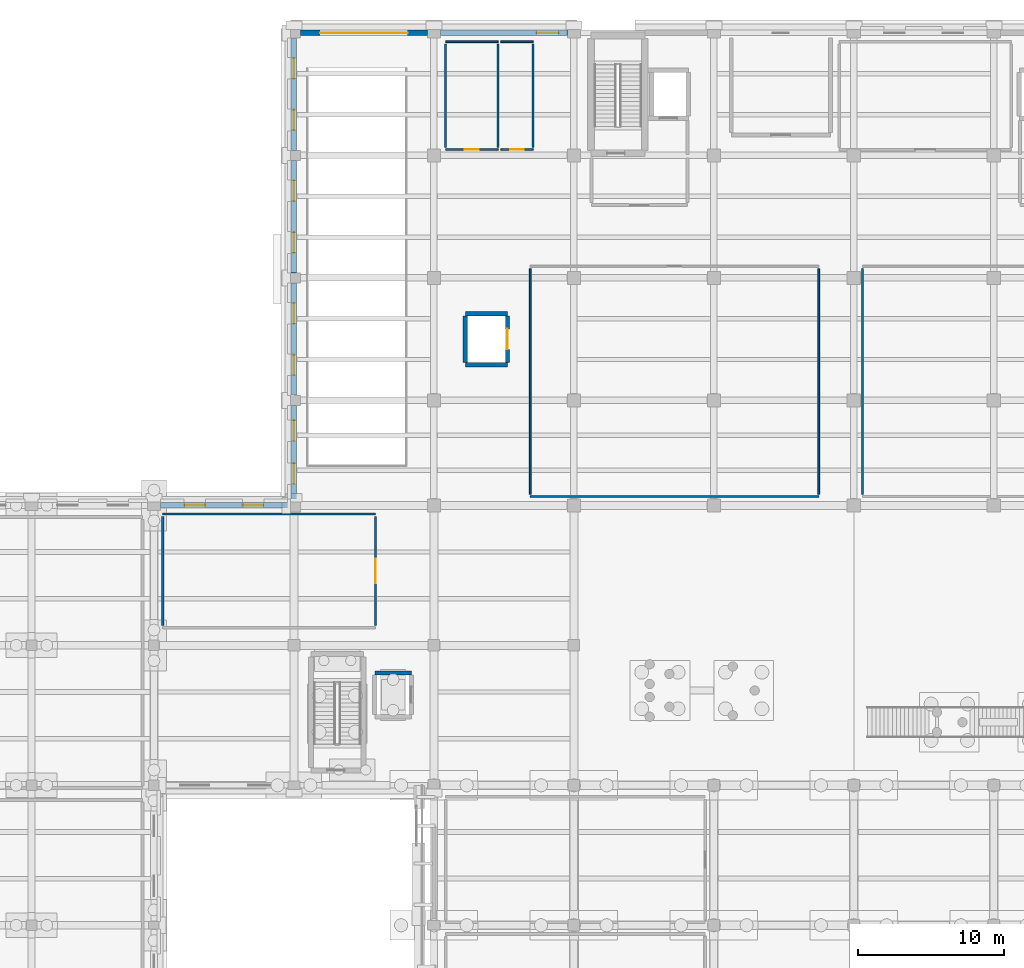
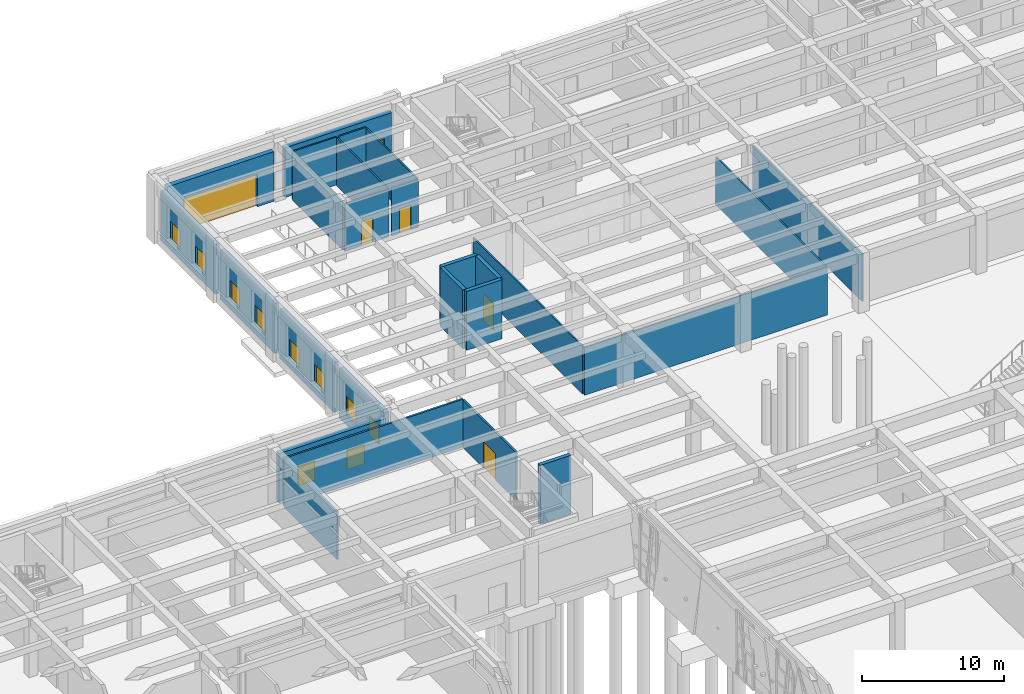
# One storey, part 33 of 51: 26 walls, 10 windows, 6 doors, 16 openings.
"""IFC4 building model written with IfcOpenShell, lengths in metres."""

from ifc_helpers import new_model, si_unit, direction, frame, frame_2d, origin, place, context, subcontext, project, spatial, rectangle, extrude, material, layer, layer_set, type_object, element, fill, save


model = new_model("IFC4")

# Units and contexts
model_context = context("Model", 3, precision=1e-05, world=origin(), true_north=direction((0.0, 1.0)))
body_context = subcontext(model_context, "Body", "Model", "MODEL_VIEW")
ifc_project = project(units=[si_unit("LENGTHUNIT", "METRE"), si_unit("AREAUNIT", "SQUARE_METRE"), si_unit("VOLUMEUNIT", "CUBIC_METRE"), si_unit("PLANEANGLEUNIT", "RADIAN"), si_unit("MASSUNIT", "GRAM", prefix="KILO")], contexts=[model_context])

# Site, building, storey
site_placement = place(None, origin())
site = spatial("IfcSite", under=ifc_project, at=site_placement, CompositionType="ELEMENT")
building_placement = place(site_placement, origin())
building = spatial("IfcBuilding", under=site, at=building_placement, Name="Bempovik Park Faculty of Sciences", CompositionType="ELEMENT")
storey_placement = place(building_placement, origin())
storey = spatial("IfcBuildingStorey", under=building, at=storey_placement, Name="L00", CompositionType="ELEMENT", Elevation=0.0)

# Walls
ifc_material_1 = material(Name="Gypsum acoustic stud assembly")
ifc_layer_1 = layer(ifc_material_1, 0.1201171875)
ifc_layer_set_1 = layer_set([ifc_layer_1], Name="Gypsum acoustic stud assembly")
wall_type_1 = type_object("IfcWallType", Name="W-17 Wall 120mm", PredefinedType="PARTITIONING", material=ifc_layer_set_1)
wall_1_placement = place(storey_placement, frame((66.60009765625, 87.60009765625, 0.0), z_axis=(0.0, 0.0, 1.0), x_axis=(1.0, 0.0, 0.0)))
element("IfcWall", 1, at=wall_1_placement, inside=storey, type_object=wall_type_1, Name="L00 Faculty Admissions and Student Services Office Partition South", PredefinedType="PARTITIONING", context=body_context, shape_type="SweptSolid", body=[
    extrude(rectangle(XDim=19.7998046875, YDim=0.1201171875, at=frame_2d((9.89990234375, 0.0))), origin(), (0.0, 0.0, 1.0), 4.1201171875),
])
for number, where, z_axis, x_axis, name in (
    (2, (66.60009765625, 87.760009765625, 0.0), (0.0, 0.0, 1.0), (0.0, 1.0, 0.0), "L00 Faculty Admissions and Student Services Office Partition West"),
    (3, (86.39990234375, 87.760009765625, 0.0), (0.0, 0.0, 1.0), (0.0, 1.0, 0.0), "L00 Faculty Admissions and Student Services Office Partition East"),
    (4, (89.39990234375, 87.760009765625, 0.0), (0.0, 0.0, 1.0), (0.0, 1.0, 0.0), "L00 Academic Faculty Administration Suite Partition West"),
):
    element("IfcWall", number, at=place(storey_placement, frame(where, z_axis=z_axis, x_axis=x_axis)), inside=storey, type_object=wall_type_1, Name=name, PredefinedType="PARTITIONING", context=body_context, shape_type="SweptSolid", body=[
        extrude(rectangle(XDim=15.47998046875, YDim=0.1201171875, at=frame_2d((7.739990234375, 0.0))), origin(), (0.0, 0.0, 1.0), 4.1201171875),
    ])

# Wall, opening, door
wall_2_placement = place(storey_placement, frame((60.800048828125, 111.39990234375, 0.0), z_axis=(0.0, 0.0, 1.0), x_axis=(1.0, 0.0, 0.0)))
wall_2 = element("IfcWall", 5, at=wall_2_placement, inside=storey, type_object=wall_type_1, Name="L00 Ground Male WC Partition South", PredefinedType="PARTITIONING", context=body_context, shape_type="SweptSolid", body=[
    extrude(rectangle(XDim=3.599853515625, YDim=0.1201171875, at=frame_2d((1.7998046875, 0.0))), origin(), (0.0, 0.0, 1.0), 4.1201171875),
])
opening_1_placement = place(wall_2_placement, frame((1.324951171875, 0.0, 0.0)))
opening_1 = element("IfcOpeningElement", 6, at=opening_1_placement, cuts=wall_2, Name="Opening D-56", PredefinedType="OPENING", context=body_context, shape_type="SweptSolid", body=[
    extrude(rectangle(XDim=0.949951171875, YDim=2.10009765625, at=frame_2d((0.47509765625, 1.050048828125))), frame((0.0, 0.070068359375, 0.0), z_axis=(0.0, -1.0, 0.0), x_axis=(1.0, 0.0, 0.0)), (0.0, 0.0, 1.0), 0.14013671875),
])
ifc_material_2 = material(Name="West African hardwood finish", Category="wood")
door_type_1 = type_object("IfcDoorType", Name="D-56 Door 950x2100", OperationType="NOTDEFINED", PredefinedType="DOOR", material=ifc_material_2)
door_1_placement = place(opening_1_placement, origin())
door_1 = element("IfcDoor", 7, at=door_1_placement, inside=storey, type_object=door_type_1, Name="L00 Ground Male WC Door", OperationType="SINGLE_SWING_RIGHT", OverallHeight=2.10009765625, OverallWidth=0.949951171875, PredefinedType="DOOR", context=body_context, shape_type="SweptSolid", body=[
    extrude(rectangle(XDim=0.949951171875, YDim=2.10009765625, at=frame_2d((0.47509765625, 1.050048828125))), frame((0.0, 0.02490234375, 0.0), z_axis=(0.0, -1.0, 0.0), x_axis=(1.0, 0.0, 0.0)), (0.0, 0.0, 1.0), 0.050048828125),
])
fill(opening_1, door_1)

# Walls
wall_3_placement = place(storey_placement, frame((60.800048828125, 118.800048828125, 0.0), z_axis=(0.0, 0.0, 1.0), x_axis=(1.0, 0.0, 0.0)))
element("IfcWall", 8, at=wall_3_placement, inside=storey, type_object=wall_type_1, Name="L00 Ground Male WC Partition North", PredefinedType="PARTITIONING", context=body_context, shape_type="SweptSolid", body=[
    extrude(rectangle(XDim=3.599853515625, YDim=0.1201171875, at=frame_2d((1.7998046875, 0.0))), origin(), (0.0, 0.0, 1.0), 4.1201171875),
])
for number, where, z_axis, x_axis, name in (
    (9, (60.800048828125, 111.56005859375, 0.0), (0.0, 0.0, 1.0), (0.0, 1.0, 0.0), "L00 Ground Male WC Partition West"),
    (10, (64.39990234375, 111.56005859375, 0.0), (0.0, 0.0, 1.0), (0.0, 1.0, 0.0), "L00 Ground Male WC Partition East"),
):
    element("IfcWall", number, at=place(storey_placement, frame(where, z_axis=z_axis, x_axis=x_axis)), inside=storey, type_object=wall_type_1, Name=name, PredefinedType="PARTITIONING", context=body_context, shape_type="SweptSolid", body=[
        extrude(rectangle(XDim=7.079833984375, YDim=0.1201171875, at=frame_2d((3.5400390625, 0.0))), origin(), (0.0, 0.0, 1.0), 4.1201171875),
    ])

# Wall, opening, door
wall_4_placement = place(storey_placement, frame((64.60009765625, 111.39990234375, 0.0), z_axis=(0.0, 0.0, 1.0), x_axis=(1.0, 0.0, 0.0)))
wall_4 = element("IfcWall", 11, at=wall_4_placement, inside=storey, type_object=wall_type_1, Name="L00 Ground Female WC Partition South", PredefinedType="PARTITIONING", context=body_context, shape_type="SweptSolid", body=[
    extrude(rectangle(XDim=2.199951171875, YDim=0.1201171875, at=frame_2d((1.10009765625, 0.0))), origin(), (0.0, 0.0, 1.0), 4.1201171875),
])
opening_2_placement = place(wall_4_placement, frame((0.625, 0.0, 0.0)))
opening_2 = element("IfcOpeningElement", 12, at=opening_2_placement, cuts=wall_4, Name="Opening D-56", PredefinedType="OPENING", context=body_context, shape_type="SweptSolid", body=[
    extrude(rectangle(XDim=0.949951171875, YDim=2.10009765625, at=frame_2d((0.47509765625, 1.050048828125))), frame((0.0, 0.070068359375, 0.0), z_axis=(0.0, -1.0, 0.0), x_axis=(1.0, 0.0, 0.0)), (0.0, 0.0, 1.0), 0.14013671875),
])
door_2_placement = place(opening_2_placement, origin())
door_2 = element("IfcDoor", 13, at=door_2_placement, inside=storey, type_object=door_type_1, Name="L00 Ground Female WC Door", OperationType="SINGLE_SWING_LEFT", OverallHeight=2.10009765625, OverallWidth=0.949951171875, PredefinedType="DOOR", context=body_context, shape_type="SweptSolid", body=[
    extrude(rectangle(XDim=0.949951171875, YDim=2.10009765625, at=frame_2d((0.47509765625, 1.050048828125))), frame((0.0, 0.02490234375, 0.0), z_axis=(0.0, -1.0, 0.0), x_axis=(1.0, 0.0, 0.0)), (0.0, 0.0, 1.0), 0.050048828125),
])
fill(opening_2, door_2)

# Walls
wall_5_placement = place(storey_placement, frame((64.60009765625, 118.800048828125, 0.0), z_axis=(0.0, 0.0, 1.0), x_axis=(1.0, 0.0, 0.0)))
element("IfcWall", 14, at=wall_5_placement, inside=storey, type_object=wall_type_1, Name="L00 Ground Female WC Partition North", PredefinedType="PARTITIONING", context=body_context, shape_type="SweptSolid", body=[
    extrude(rectangle(XDim=2.199951171875, YDim=0.1201171875, at=frame_2d((1.10009765625, 0.0))), origin(), (0.0, 0.0, 1.0), 4.1201171875),
])
wall_6_placement = place(storey_placement, frame((66.800048828125, 111.56005859375, 0.0), z_axis=(0.0, 0.0, 1.0), x_axis=(0.0, 1.0, 0.0)))
element("IfcWall", 15, at=wall_6_placement, inside=storey, type_object=wall_type_1, Name="L00 Ground Female WC Partition East", PredefinedType="PARTITIONING", context=body_context, shape_type="SweptSolid", body=[
    extrude(rectangle(XDim=7.079833984375, YDim=0.1201171875, at=frame_2d((3.5400390625, 0.0))), origin(), (0.0, 0.0, 1.0), 4.1201171875),
])

# Wall, openings, windows
ifc_material_3 = material(Name="Precast concrete C40/50", Category="concrete")
ifc_layer_2 = layer(ifc_material_3, 0.3798828125)
ifc_layer_set_2 = layer_set([ifc_layer_2], Name="Precast concrete C40/50")
wall_type_2 = type_object("IfcWallType", Name="W-27 Wall 380mm", PredefinedType="SOLIDWALL", material=ifc_layer_set_2)
wall_7_placement = place(storey_placement, frame((41.251953125, 87.0, 0.0), z_axis=(0.0, 0.0, 1.0), x_axis=(1.0, 0.0, 0.0)))
wall_7 = element("IfcWall", 16, at=wall_7_placement, inside=storey, type_object=wall_type_2, Name="L00 Classical Precast Facade Wall EW-L00-5794", PredefinedType="SOLIDWALL", context=body_context, shape_type="SweptSolid", body=[
    extrude(rectangle(XDim=8.696044921875, YDim=0.3798828125, at=frame_2d((4.34814453125, 0.0))), origin(), (0.0, 0.0, 1.0), 4.280029296875),
])
opening_3_placement = place(wall_7_placement, frame((1.64794921875, 0.0, 0.85009765625)))
opening_3 = element("IfcOpeningElement", 17, at=opening_3_placement, cuts=wall_7, Name="Opening WN-84", PredefinedType="OPENING", context=body_context, shape_type="SweptSolid", body=[
    extrude(rectangle(XDim=1.39990234375, YDim=1.64990234375, at=frame_2d((0.699951171875, 0.824951171875))), frame((0.0, 0.199951171875, 0.0), z_axis=(0.0, -1.0, 0.0), x_axis=(1.0, 0.0, 0.0)), (0.0, 0.0, 1.0), 0.39990234375),
])
opening_4_placement = place(wall_7_placement, frame((5.648193359375, 0.0, 0.85009765625)))
opening_4 = element("IfcOpeningElement", 18, at=opening_4_placement, cuts=wall_7, Name="Opening WN-84", PredefinedType="OPENING", context=body_context, shape_type="SweptSolid", body=[
    extrude(rectangle(XDim=1.39990234375, YDim=1.64990234375, at=frame_2d((0.699951171875, 0.824951171875))), frame((0.0, 0.199951171875, 0.0), z_axis=(0.0, -1.0, 0.0), x_axis=(1.0, 0.0, 0.0)), (0.0, 0.0, 1.0), 0.39990234375),
])
ifc_material_4 = material(Name="Tempered laminated low-E glass", Category="glass")
window_type = type_object("IfcWindowType", Name="WN-84 Window 1400x1650", PartitioningType="SINGLE_PANEL", PredefinedType="WINDOW", material=ifc_material_4)
window_1_placement = place(opening_3_placement, origin())
window_1 = element("IfcWindow", 19, at=window_1_placement, inside=storey, type_object=window_type, Name="L00 Window EW-L00-5794-1", OverallHeight=1.64990234375, OverallWidth=1.39990234375, PartitioningType="SINGLE_PANEL", PredefinedType="WINDOW", context=body_context, shape_type="SweptSolid", body=[
    extrude(rectangle(XDim=1.39990234375, YDim=1.64990234375, at=frame_2d((0.699951171875, 0.824951171875))), frame((0.0, 0.030029296875, 0.0), z_axis=(0.0, -1.0, 0.0), x_axis=(1.0, 0.0, 0.0)), (0.0, 0.0, 1.0), 0.06005859375),
])
fill(opening_3, window_1)
window_2_placement = place(opening_4_placement, origin())
window_2 = element("IfcWindow", 20, at=window_2_placement, inside=storey, type_object=window_type, Name="L00 Window EW-L00-5794-2", OverallHeight=1.64990234375, OverallWidth=1.39990234375, PartitioningType="SINGLE_PANEL", PredefinedType="WINDOW", context=body_context, shape_type="SweptSolid", body=[
    extrude(rectangle(XDim=1.39990234375, YDim=1.64990234375, at=frame_2d((0.699951171875, 0.824951171875))), frame((0.0, 0.030029296875, 0.0), z_axis=(0.0, -1.0, 0.0), x_axis=(1.0, 0.0, 0.0)), (0.0, 0.0, 1.0), 0.06005859375),
])
fill(opening_4, window_2)

wall_8_placement = place(storey_placement, frame((50.39990234375, 87.451904296875, 0.0), z_axis=(0.0, 0.0, 1.0), x_axis=(0.0, 1.0, 0.0)))
wall_8 = element("IfcWall", 21, at=wall_8_placement, inside=storey, type_object=wall_type_2, Name="L00 Classical Precast Facade Wall EW-L00-5804", PredefinedType="SOLIDWALL", context=body_context, shape_type="SweptSolid", body=[
    extrude(rectangle(XDim=6.39599609375, YDim=0.3798828125, at=frame_2d((3.197998046875, 0.0))), origin(), (0.0, 0.0, 1.0), 4.280029296875),
])
opening_5_placement = place(wall_8_placement, frame((1.02685546875, 0.0, 0.85009765625)))
opening_5 = element("IfcOpeningElement", 22, at=opening_5_placement, cuts=wall_8, Name="Opening WN-84", PredefinedType="OPENING", context=body_context, shape_type="SweptSolid", body=[
    extrude(rectangle(XDim=1.39990234375, YDim=1.64990234375, at=frame_2d((0.699951171875, 0.824951171875))), frame((0.0, 0.199951171875, 0.0), z_axis=(0.0, -1.0, 0.0), x_axis=(1.0, 0.0, 0.0)), (0.0, 0.0, 1.0), 0.39990234375),
])
opening_6_placement = place(wall_8_placement, frame((3.968994140625, 0.0, 0.85009765625)))
opening_6 = element("IfcOpeningElement", 23, at=opening_6_placement, cuts=wall_8, Name="Opening WN-84", PredefinedType="OPENING", context=body_context, shape_type="SweptSolid", body=[
    extrude(rectangle(XDim=1.39990234375, YDim=1.64990234375, at=frame_2d((0.699951171875, 0.824951171875))), frame((0.0, 0.199951171875, 0.0), z_axis=(0.0, -1.0, 0.0), x_axis=(1.0, 0.0, 0.0)), (0.0, 0.0, 1.0), 0.39990234375),
])
window_3_placement = place(opening_5_placement, origin())
window_3 = element("IfcWindow", 24, at=window_3_placement, inside=storey, type_object=window_type, Name="L00 Window EW-L00-5804-1", OverallHeight=1.64990234375, OverallWidth=1.39990234375, PartitioningType="SINGLE_PANEL", PredefinedType="WINDOW", context=body_context, shape_type="SweptSolid", body=[
    extrude(rectangle(XDim=1.39990234375, YDim=1.64990234375, at=frame_2d((0.699951171875, 0.824951171875))), frame((0.0, 0.030029296875, 0.0), z_axis=(0.0, -1.0, 0.0), x_axis=(1.0, 0.0, 0.0)), (0.0, 0.0, 1.0), 0.06005859375),
])
fill(opening_5, window_3)
window_4_placement = place(opening_6_placement, origin())
window_4 = element("IfcWindow", 25, at=window_4_placement, inside=storey, type_object=window_type, Name="L00 Window EW-L00-5804-2", OverallHeight=1.64990234375, OverallWidth=1.39990234375, PartitioningType="SINGLE_PANEL", PredefinedType="WINDOW", context=body_context, shape_type="SweptSolid", body=[
    extrude(rectangle(XDim=1.39990234375, YDim=1.64990234375, at=frame_2d((0.699951171875, 0.824951171875))), frame((0.0, 0.030029296875, 0.0), z_axis=(0.0, -1.0, 0.0), x_axis=(1.0, 0.0, 0.0)), (0.0, 0.0, 1.0), 0.06005859375),
])
fill(opening_6, window_4)

wall_9_placement = place(storey_placement, frame((50.39990234375, 94.552001953125, 0.0), z_axis=(0.0, 0.0, 1.0), x_axis=(0.0, 1.0, 0.0)))
wall_9 = element("IfcWall", 26, at=wall_9_placement, inside=storey, type_object=wall_type_2, Name="L00 Classical Precast Facade Wall EW-L00-5815", PredefinedType="SOLIDWALL", context=body_context, shape_type="SweptSolid", body=[
    extrude(rectangle(XDim=7.696044921875, YDim=0.3798828125, at=frame_2d((3.84814453125, 0.0))), origin(), (0.0, 0.0, 1.0), 4.280029296875),
])
opening_7_placement = place(wall_9_placement, frame((1.3779296875, 0.0, 0.85009765625)))
opening_7 = element("IfcOpeningElement", 27, at=opening_7_placement, cuts=wall_9, Name="Opening WN-84", PredefinedType="OPENING", context=body_context, shape_type="SweptSolid", body=[
    extrude(rectangle(XDim=1.39990234375, YDim=1.64990234375, at=frame_2d((0.699951171875, 0.824951171875))), frame((0.0, 0.199951171875, 0.0), z_axis=(0.0, -1.0, 0.0), x_axis=(1.0, 0.0, 0.0)), (0.0, 0.0, 1.0), 0.39990234375),
])
opening_8_placement = place(wall_9_placement, frame((4.918212890625, 0.0, 0.85009765625)))
opening_8 = element("IfcOpeningElement", 28, at=opening_8_placement, cuts=wall_9, Name="Opening WN-84", PredefinedType="OPENING", context=body_context, shape_type="SweptSolid", body=[
    extrude(rectangle(XDim=1.39990234375, YDim=1.64990234375, at=frame_2d((0.699951171875, 0.824951171875))), frame((0.0, 0.199951171875, 0.0), z_axis=(0.0, -1.0, 0.0), x_axis=(1.0, 0.0, 0.0)), (0.0, 0.0, 1.0), 0.39990234375),
])
window_5_placement = place(opening_7_placement, origin())
window_5 = element("IfcWindow", 29, at=window_5_placement, inside=storey, type_object=window_type, Name="L00 Window EW-L00-5815-1", OverallHeight=1.64990234375, OverallWidth=1.39990234375, PartitioningType="SINGLE_PANEL", PredefinedType="WINDOW", context=body_context, shape_type="SweptSolid", body=[
    extrude(rectangle(XDim=1.39990234375, YDim=1.64990234375, at=frame_2d((0.699951171875, 0.824951171875))), frame((0.0, 0.030029296875, 0.0), z_axis=(0.0, -1.0, 0.0), x_axis=(1.0, 0.0, 0.0)), (0.0, 0.0, 1.0), 0.06005859375),
])
fill(opening_7, window_5)
window_6_placement = place(opening_8_placement, origin())
window_6 = element("IfcWindow", 30, at=window_6_placement, inside=storey, type_object=window_type, Name="L00 Window EW-L00-5815-2", OverallHeight=1.64990234375, OverallWidth=1.39990234375, PartitioningType="SINGLE_PANEL", PredefinedType="WINDOW", context=body_context, shape_type="SweptSolid", body=[
    extrude(rectangle(XDim=1.39990234375, YDim=1.64990234375, at=frame_2d((0.699951171875, 0.824951171875))), frame((0.0, 0.030029296875, 0.0), z_axis=(0.0, -1.0, 0.0), x_axis=(1.0, 0.0, 0.0)), (0.0, 0.0, 1.0), 0.06005859375),
])
fill(opening_8, window_6)

wall_10_placement = place(storey_placement, frame((50.39990234375, 102.951904296875, 0.0), z_axis=(0.0, 0.0, 1.0), x_axis=(0.0, 1.0, 0.0)))
wall_10 = element("IfcWall", 31, at=wall_10_placement, inside=storey, type_object=wall_type_2, Name="L00 Classical Precast Facade Wall EW-L00-5825", PredefinedType="SOLIDWALL", context=body_context, shape_type="SweptSolid", body=[
    extrude(rectangle(XDim=7.696044921875, YDim=0.3798828125, at=frame_2d((3.84814453125, 0.0))), origin(), (0.0, 0.0, 1.0), 4.280029296875),
])
opening_9_placement = place(wall_10_placement, frame((1.3779296875, 0.0, 0.85009765625)))
opening_9 = element("IfcOpeningElement", 32, at=opening_9_placement, cuts=wall_10, Name="Opening WN-84", PredefinedType="OPENING", context=body_context, shape_type="SweptSolid", body=[
    extrude(rectangle(XDim=1.39990234375, YDim=1.64990234375, at=frame_2d((0.699951171875, 0.824951171875))), frame((0.0, 0.199951171875, 0.0), z_axis=(0.0, -1.0, 0.0), x_axis=(1.0, 0.0, 0.0)), (0.0, 0.0, 1.0), 0.39990234375),
])
opening_10_placement = place(wall_10_placement, frame((4.918212890625, 0.0, 0.85009765625)))
opening_10 = element("IfcOpeningElement", 33, at=opening_10_placement, cuts=wall_10, Name="Opening WN-84", PredefinedType="OPENING", context=body_context, shape_type="SweptSolid", body=[
    extrude(rectangle(XDim=1.39990234375, YDim=1.64990234375, at=frame_2d((0.699951171875, 0.824951171875))), frame((0.0, 0.199951171875, 0.0), z_axis=(0.0, -1.0, 0.0), x_axis=(1.0, 0.0, 0.0)), (0.0, 0.0, 1.0), 0.39990234375),
])
window_7_placement = place(opening_9_placement, origin())
window_7 = element("IfcWindow", 34, at=window_7_placement, inside=storey, type_object=window_type, Name="L00 Window EW-L00-5825-1", OverallHeight=1.64990234375, OverallWidth=1.39990234375, PartitioningType="SINGLE_PANEL", PredefinedType="WINDOW", context=body_context, shape_type="SweptSolid", body=[
    extrude(rectangle(XDim=1.39990234375, YDim=1.64990234375, at=frame_2d((0.699951171875, 0.824951171875))), frame((0.0, 0.030029296875, 0.0), z_axis=(0.0, -1.0, 0.0), x_axis=(1.0, 0.0, 0.0)), (0.0, 0.0, 1.0), 0.06005859375),
])
fill(opening_9, window_7)
window_8_placement = place(opening_10_placement, origin())
window_8 = element("IfcWindow", 35, at=window_8_placement, inside=storey, type_object=window_type, Name="L00 Window EW-L00-5825-2", OverallHeight=1.64990234375, OverallWidth=1.39990234375, PartitioningType="SINGLE_PANEL", PredefinedType="WINDOW", context=body_context, shape_type="SweptSolid", body=[
    extrude(rectangle(XDim=1.39990234375, YDim=1.64990234375, at=frame_2d((0.699951171875, 0.824951171875))), frame((0.0, 0.030029296875, 0.0), z_axis=(0.0, -1.0, 0.0), x_axis=(1.0, 0.0, 0.0)), (0.0, 0.0, 1.0), 0.06005859375),
])
fill(opening_10, window_8)

wall_11_placement = place(storey_placement, frame((50.39990234375, 111.35205078125, 0.0), z_axis=(0.0, 0.0, 1.0), x_axis=(0.0, 1.0, 0.0)))
wall_11 = element("IfcWall", 36, at=wall_11_placement, inside=storey, type_object=wall_type_2, Name="L00 Classical Precast Facade Wall EW-L00-5835", PredefinedType="SOLIDWALL", context=body_context, shape_type="SweptSolid", body=[
    extrude(rectangle(XDim=7.696044921875, YDim=0.3798828125, at=frame_2d((3.84814453125, 0.0))), origin(), (0.0, 0.0, 1.0), 4.280029296875),
])
opening_11_placement = place(wall_11_placement, frame((1.3779296875, 0.0, 0.85009765625)))
opening_11 = element("IfcOpeningElement", 37, at=opening_11_placement, cuts=wall_11, Name="Opening WN-84", PredefinedType="OPENING", context=body_context, shape_type="SweptSolid", body=[
    extrude(rectangle(XDim=1.39990234375, YDim=1.64990234375, at=frame_2d((0.699951171875, 0.824951171875))), frame((0.0, 0.199951171875, 0.0), z_axis=(0.0, -1.0, 0.0), x_axis=(1.0, 0.0, 0.0)), (0.0, 0.0, 1.0), 0.39990234375),
])
opening_12_placement = place(wall_11_placement, frame((4.918212890625, 0.0, 0.85009765625)))
opening_12 = element("IfcOpeningElement", 38, at=opening_12_placement, cuts=wall_11, Name="Opening WN-84", PredefinedType="OPENING", context=body_context, shape_type="SweptSolid", body=[
    extrude(rectangle(XDim=1.39990234375, YDim=1.64990234375, at=frame_2d((0.699951171875, 0.824951171875))), frame((0.0, 0.199951171875, 0.0), z_axis=(0.0, -1.0, 0.0), x_axis=(1.0, 0.0, 0.0)), (0.0, 0.0, 1.0), 0.39990234375),
])
window_9_placement = place(opening_11_placement, origin())
window_9 = element("IfcWindow", 39, at=window_9_placement, inside=storey, type_object=window_type, Name="L00 Window EW-L00-5835-1", OverallHeight=1.64990234375, OverallWidth=1.39990234375, PartitioningType="SINGLE_PANEL", PredefinedType="WINDOW", context=body_context, shape_type="SweptSolid", body=[
    extrude(rectangle(XDim=1.39990234375, YDim=1.64990234375, at=frame_2d((0.699951171875, 0.824951171875))), frame((0.0, 0.030029296875, 0.0), z_axis=(0.0, -1.0, 0.0), x_axis=(1.0, 0.0, 0.0)), (0.0, 0.0, 1.0), 0.06005859375),
])
fill(opening_11, window_9)
window_10_placement = place(opening_12_placement, origin())
window_10 = element("IfcWindow", 40, at=window_10_placement, inside=storey, type_object=window_type, Name="L00 Window EW-L00-5835-2", OverallHeight=1.64990234375, OverallWidth=1.39990234375, PartitioningType="SINGLE_PANEL", PredefinedType="WINDOW", context=body_context, shape_type="SweptSolid", body=[
    extrude(rectangle(XDim=1.39990234375, YDim=1.64990234375, at=frame_2d((0.699951171875, 0.824951171875))), frame((0.0, 0.030029296875, 0.0), z_axis=(0.0, -1.0, 0.0), x_axis=(1.0, 0.0, 0.0)), (0.0, 0.0, 1.0), 0.06005859375),
])
fill(opening_12, window_10)

# Wall, opening, door
wall_12_placement = place(storey_placement, frame((50.85205078125, 119.39990234375, 0.0), z_axis=(0.0, 0.0, 1.0), x_axis=(1.0, 0.0, 0.0)))
wall_12 = element("IfcWall", 41, at=wall_12_placement, inside=storey, type_object=wall_type_2, Name="L00 Classical Precast Facade Wall EW-L00-5845", PredefinedType="SOLIDWALL", context=body_context, shape_type="SweptSolid", body=[
    extrude(rectangle(XDim=8.696044921875, YDim=0.3798828125, at=frame_2d((4.34814453125, 0.0))), origin(), (0.0, 0.0, 1.0), 4.280029296875),
])
opening_13_placement = place(wall_12_placement, frame((1.347900390625, 0.0, 0.0)))
opening_13 = element("IfcOpeningElement", 42, at=opening_13_placement, cuts=wall_12, Name="Opening VG-01", PredefinedType="OPENING", context=body_context, shape_type="SweptSolid", body=[
    extrude(rectangle(XDim=6.0, YDim=2.800048828125, at=frame_2d((3.0, 1.39990234375))), frame((0.0, 0.199951171875, 0.0), z_axis=(0.0, -1.0, 0.0), x_axis=(1.0, 0.0, 0.0)), (0.0, 0.0, 1.0), 0.39990234375),
])
ifc_material_5 = material(Name="Anodised aluminium", Category="aluminium")
door_type_2 = type_object("IfcDoorType", Name="VG-01 Gate 6000x2800", OperationType="NOTDEFINED", PredefinedType="GATE", material=ifc_material_5)
door_3_placement = place(opening_13_placement, origin())
door_3 = element("IfcDoor", 43, at=door_3_placement, inside=storey, type_object=door_type_2, Name="Basement Car-Park Ramp Exterior Roller Gate VG-01", OperationType="ROLLINGUP", OverallHeight=2.800048828125, OverallWidth=6.0, PredefinedType="GATE", context=body_context, shape_type="SweptSolid", body=[
    extrude(rectangle(XDim=6.0, YDim=2.800048828125, at=frame_2d((3.0, 1.39990234375))), frame((0.0, 0.02490234375, 0.0), z_axis=(0.0, -1.0, 0.0), x_axis=(1.0, 0.0, 0.0)), (0.0, 0.0, 1.0), 0.050048828125),
])
fill(opening_13, door_3)

wall_13_placement = place(storey_placement, frame((60.451904296875, 119.39990234375, 0.0), z_axis=(0.0, 0.0, 1.0), x_axis=(1.0, 0.0, 0.0)))
wall_13 = element("IfcWall", 44, at=wall_13_placement, inside=storey, type_object=wall_type_2, Name="L00 Classical Precast Facade Wall EW-L00-5850", PredefinedType="SOLIDWALL", context=body_context, shape_type="SweptSolid", body=[
    extrude(rectangle(XDim=8.696044921875, YDim=0.3798828125, at=frame_2d((4.34814453125, 0.0))), origin(), (0.0, 0.0, 1.0), 4.280029296875),
])
opening_14_placement = place(wall_13_placement, frame((6.597900390625, 0.0, 0.0)))
opening_14 = element("IfcOpeningElement", 45, at=opening_14_placement, cuts=wall_13, Name="Opening D-29", PredefinedType="OPENING", context=body_context, shape_type="SweptSolid", body=[
    extrude(rectangle(XDim=1.5, YDim=2.199951171875, at=frame_2d((0.75, 1.10009765625))), frame((0.0, 0.199951171875, 0.0), z_axis=(0.0, -1.0, 0.0), x_axis=(1.0, 0.0, 0.0)), (0.0, 0.0, 1.0), 0.39990234375),
])
ifc_material_6 = material(Name="Painted steel S355", Category="steel")
door_type_3 = type_object("IfcDoorType", Name="D-29 Door 1500x2200", OperationType="NOTDEFINED", PredefinedType="DOOR", material=ifc_material_6)
door_4_placement = place(opening_14_placement, origin())
door_4 = element("IfcDoor", 46, at=door_4_placement, inside=storey, type_object=door_type_3, Name="Stair ST-1 Final Street Discharge Door", OperationType="SINGLE_SWING_LEFT", OverallHeight=2.199951171875, OverallWidth=1.5, PredefinedType="DOOR", context=body_context, shape_type="SweptSolid", body=[
    extrude(rectangle(XDim=1.5, YDim=2.199951171875, at=frame_2d((0.75, 1.10009765625))), frame((0.0, 0.02490234375, 0.0), z_axis=(0.0, -1.0, 0.0), x_axis=(1.0, 0.0, 0.0)), (0.0, 0.0, 1.0), 0.050048828125),
])
fill(opening_14, door_4)

# Walls
ifc_material_7 = material(Name="Concrete C40/50", Category="concrete")
ifc_layer_3 = layer(ifc_material_7, 0.300048828125)
ifc_layer_set_3 = layer_set([ifc_layer_3], Name="Concrete C40/50")
wall_type_3 = type_object("IfcWallType", Name="W-31 Wall 300mm", PredefinedType="SHEAR", material=ifc_layer_set_3)
wall_14_placement = place(storey_placement, frame((55.949951171875, 75.5, 0.0), z_axis=(0.0, 0.0, 1.0), x_axis=(1.0, 0.0, 0.0)))
element("IfcWall", 47, at=wall_14_placement, inside=storey, type_object=wall_type_3, Name="Lift LF-3 L00 Shaft Wall North", PredefinedType="SHEAR", context=body_context, shape_type="SweptSolid", body=[
    extrude(rectangle(XDim=2.5, YDim=0.300048828125, at=frame_2d((1.25, 0.0))), origin(), (0.0, 0.0, 1.0), 5.080078125),
])
for number, where, z_axis, x_axis, name in (
    (48, (62.14990234375, 96.64990234375, 0.0), (0.0, 0.0, 1.0), (1.0, 0.0, 0.0), "Lift LF-5 L00 Shaft Wall South"),
    (49, (62.14990234375, 100.14990234375, 0.0), (0.0, 0.0, 1.0), (1.0, 0.0, 0.0), "Lift LF-5 L00 Shaft Wall North"),
):
    element("IfcWall", number, at=place(storey_placement, frame(where, z_axis=z_axis, x_axis=x_axis)), inside=storey, type_object=wall_type_3, Name=name, PredefinedType="SHEAR", context=body_context, shape_type="SweptSolid", body=[
        extrude(rectangle(XDim=2.900146484375, YDim=0.300048828125, at=frame_2d((1.4501953125, 0.0))), origin(), (0.0, 0.0, 1.0), 5.080078125),
    ])
wall_15_placement = place(storey_placement, frame((62.14990234375, 96.800048828125, 0.0), z_axis=(0.0, 0.0, 1.0), x_axis=(0.0, 1.0, 0.0)))
element("IfcWall", 50, at=wall_15_placement, inside=storey, type_object=wall_type_3, Name="Lift LF-5 L00 Shaft Wall West", PredefinedType="SHEAR", context=body_context, shape_type="SweptSolid", body=[
    extrude(rectangle(XDim=3.199951171875, YDim=0.300048828125, at=frame_2d((1.60009765625, 0.0))), origin(), (0.0, 0.0, 1.0), 5.080078125),
])

# Wall, opening, door
wall_16_placement = place(storey_placement, frame((65.050048828125, 96.800048828125, 0.0), z_axis=(0.0, 0.0, 1.0), x_axis=(0.0, 1.0, 0.0)))
wall_16 = element("IfcWall", 51, at=wall_16_placement, inside=storey, type_object=wall_type_3, Name="Lift LF-5 L00 Shaft Wall East", PredefinedType="SHEAR", context=body_context, shape_type="SweptSolid", body=[
    extrude(rectangle(XDim=3.199951171875, YDim=0.300048828125, at=frame_2d((1.60009765625, 0.0))), origin(), (0.0, 0.0, 1.0), 5.080078125),
])
opening_15_placement = place(wall_16_placement, frame((0.89990234375, 0.0, 0.0)))
opening_15 = element("IfcOpeningElement", 52, at=opening_15_placement, cuts=wall_16, Name="Opening LD-03", PredefinedType="OPENING", context=body_context, shape_type="SweptSolid", body=[
    extrude(rectangle(XDim=1.39990234375, YDim=2.300048828125, at=frame_2d((0.699951171875, 1.14990234375))), frame((0.0, 0.16015625, 0.0), z_axis=(0.0, -1.0, 0.0), x_axis=(1.0, 0.0, 0.0)), (0.0, 0.0, 1.0), 0.320068359375),
])
door_type_4 = type_object("IfcDoorType", Name="LD-03 Door 1400x2300", OperationType="NOTDEFINED", PredefinedType="DOOR", material=ifc_material_6)
door_5_placement = place(opening_15_placement, origin())
door_5 = element("IfcDoor", 53, at=door_5_placement, inside=storey, type_object=door_type_4, Name="Lift LF-5 L00 Sliding Landing Door", OperationType="SLIDING_TO_LEFT", OverallHeight=2.300048828125, OverallWidth=1.39990234375, PredefinedType="DOOR", context=body_context, shape_type="SweptSolid", body=[
    extrude(rectangle(XDim=1.39990234375, YDim=2.300048828125, at=frame_2d((0.699951171875, 1.14990234375))), frame((0.0, 0.02490234375, 0.0), z_axis=(0.0, -1.0, 0.0), x_axis=(1.0, 0.0, 0.0)), (0.0, 0.0, 1.0), 0.050048828125),
])
fill(opening_15, door_5)

# Walls
ifc_layer_4 = layer(ifc_material_1, 0.14990234375)
ifc_layer_set_4 = layer_set([ifc_layer_4], Name="Gypsum acoustic stud assembly")
wall_type_4 = type_object("IfcWallType", Name="W-42 Wall 150mm", PredefinedType="PARTITIONING", material=ifc_layer_set_4)
wall_17_placement = place(storey_placement, frame((41.39990234375, 86.39990234375, 0.0), z_axis=(0.0, 0.0, 1.0), x_axis=(1.0, 0.0, 0.0)))
element("IfcWall", 54, at=wall_17_placement, inside=storey, type_object=wall_type_4, Name="L00 Parkside Faculty Cafe Partition North", PredefinedType="PARTITIONING", context=body_context, shape_type="SweptSolid", body=[
    extrude(rectangle(XDim=14.60009765625, YDim=0.14990234375, at=frame_2d((7.300048828125, 0.0))), origin(), (0.0, 0.0, 1.0), 4.1201171875),
])
wall_18_placement = place(storey_placement, frame((41.39990234375, 78.760009765625, 0.0), z_axis=(0.0, 0.0, 1.0), x_axis=(0.0, 1.0, 0.0)))
element("IfcWall", 55, at=wall_18_placement, inside=storey, type_object=wall_type_4, Name="L00 Parkside Faculty Cafe Partition West", PredefinedType="PARTITIONING", context=body_context, shape_type="SweptSolid", body=[
    extrude(rectangle(XDim=7.47998046875, YDim=0.14990234375, at=frame_2d((3.739990234375, 0.0))), origin(), (0.0, 0.0, 1.0), 4.1201171875),
])

# Wall, opening, door
wall_19_placement = place(storey_placement, frame((56.0, 78.760009765625, 0.0), z_axis=(0.0, 0.0, 1.0), x_axis=(0.0, 1.0, 0.0)))
wall_19 = element("IfcWall", 56, at=wall_19_placement, inside=storey, type_object=wall_type_4, Name="L00 Parkside Faculty Cafe Partition East", PredefinedType="PARTITIONING", context=body_context, shape_type="SweptSolid", body=[
    extrude(rectangle(XDim=7.47998046875, YDim=0.14990234375, at=frame_2d((3.739990234375, 0.0))), origin(), (0.0, 0.0, 1.0), 4.1201171875),
])
opening_16_placement = place(wall_19_placement, frame((2.889892578125, 0.0, 0.0)))
opening_16 = element("IfcOpeningElement", 57, at=opening_16_placement, cuts=wall_19, Name="Opening D-40", PredefinedType="OPENING", context=body_context, shape_type="SweptSolid", body=[
    extrude(rectangle(XDim=1.699951171875, YDim=2.300048828125, at=frame_2d((0.85009765625, 1.14990234375))), frame((0.0, 0.0849609375, 0.0), z_axis=(0.0, -1.0, 0.0), x_axis=(1.0, 0.0, 0.0)), (0.0, 0.0, 1.0), 0.169921875),
])
ifc_material_8 = material(Name="Anodised architectural bronze")
door_type_5 = type_object("IfcDoorType", Name="D-40 Door 1700x2300", OperationType="NOTDEFINED", PredefinedType="DOOR", material=ifc_material_8)
door_6_placement = place(opening_16_placement, origin())
door_6 = element("IfcDoor", 58, at=door_6_placement, inside=storey, type_object=door_type_5, Name="L00 Parkside Faculty Cafe Door", OperationType="DOUBLE_DOOR_SINGLE_SWING", OverallHeight=2.300048828125, OverallWidth=1.699951171875, PredefinedType="DOOR", context=body_context, shape_type="SweptSolid", body=[
    extrude(rectangle(XDim=1.699951171875, YDim=2.300048828125, at=frame_2d((0.85009765625, 1.14990234375))), frame((0.0, 0.02490234375, 0.0), z_axis=(0.0, -1.0, 0.0), x_axis=(1.0, 0.0, 0.0)), (0.0, 0.0, 1.0), 0.050048828125),
])
fill(opening_16, door_6)

save(model, "model.ifc")
